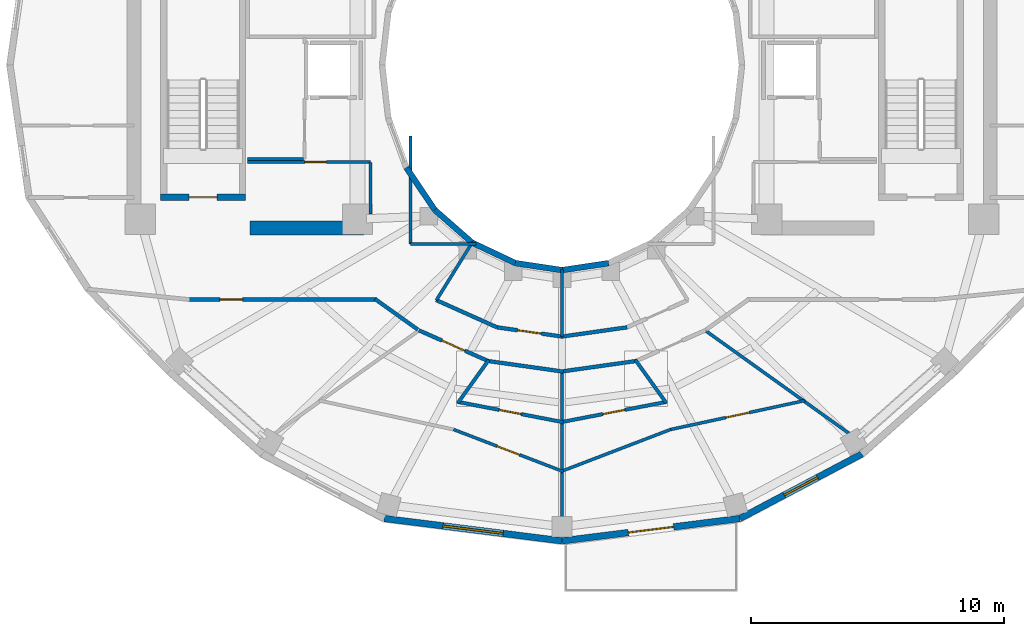
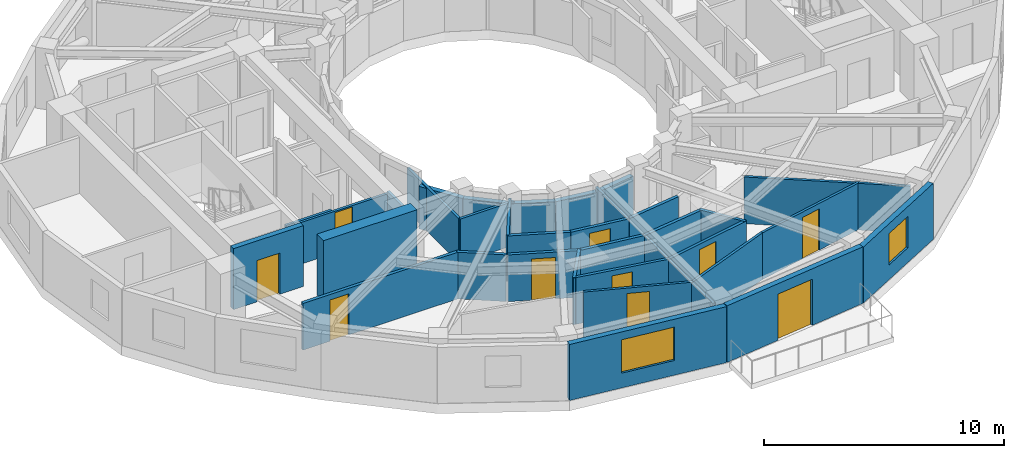
# One storey, part 3 of 9: 34 walls, 10 doors, 2 windows, 12 openings.
"""IFC4 building model written with IfcOpenShell, lengths in metres."""

from ifc_helpers import new_model, si_unit, direction, frame, frame_2d, origin, place, context, subcontext, project, spatial, rectangle, extrude, material, layer, layer_set, type_object, element, fill, save


model = new_model("IFC4")

# Units and contexts
model_context = context("Model", 3, precision=1e-05, world=origin(), true_north=direction((0.0, 1.0)))
body_context = subcontext(model_context, "Body", "Model", "MODEL_VIEW")
ifc_project = project(units=[si_unit("LENGTHUNIT", "METRE"), si_unit("AREAUNIT", "SQUARE_METRE"), si_unit("VOLUMEUNIT", "CUBIC_METRE"), si_unit("PLANEANGLEUNIT", "RADIAN"), si_unit("MASSUNIT", "GRAM", prefix="KILO")], contexts=[model_context])

# Site, building, storey
site_placement = place(None, origin())
site = spatial("IfcSite", under=ifc_project, at=site_placement, CompositionType="ELEMENT")
building_placement = place(site_placement, origin())
building = spatial("IfcBuilding", under=site, at=building_placement, Name="Solvane Sanctuary Tower", CompositionType="ELEMENT")
storey_placement = place(building_placement, frame((0.0, 0.0, 220.199951171875)))
storey = spatial("IfcBuildingStorey", under=building, at=storey_placement, Name="L67", CompositionType="ELEMENT", Elevation=220.199951171875)

# Walls
ifc_material_1 = material(Name="Concrete C50/60", Category="concrete")
ifc_layer_1 = layer(ifc_material_1, 0.550048828125, Name="Concrete C50/60")
ifc_layer_set_1 = layer_set([ifc_layer_1], Name="Concrete C50/60")
wall_type_1 = type_object("IfcWallType", Name="Wall W-CORE-550", PredefinedType="SHEAR", material=ifc_layer_set_1)
wall_1_placement = place(storey_placement, frame((19.64990234375, 16.550048828125, 0.0), z_axis=(0.0, 0.0, 1.0), x_axis=(1.0, 0.0, 0.0)))
element("IfcWall", 1, at=wall_1_placement, inside=storey, type_object=wall_type_1, Name="L67 Core Shear Wall WC-S", PredefinedType="SHEAR", context=body_context, shape_type="SweptSolid", body=[
    extrude(rectangle(XDim=4.5, YDim=0.550048828125, at=frame_2d((2.25, 0.0))), origin(), (0.0, 0.0, 1.0), 3.10009765625),
])
ifc_material_2 = material(Name="Acoustic Gypsum Partition Board")
ifc_layer_2 = layer(ifc_material_2, 0.14990234375, Name="Acoustic Gypsum Partition Board")
ifc_layer_set_2 = layer_set([ifc_layer_2], Name="Acoustic Gypsum Partition Board")
wall_type_2 = type_object("IfcWallType", Name="Wall W-CORR-150", PredefinedType="PARTITIONING", material=ifc_layer_set_2)
wall_2_placement = place(storey_placement, frame((27.01904296875, 13.694091796875, 0.0), z_axis=(0.0, 0.0, 1.0), x_axis=(0.912628408652, -0.408790151203, 0.0)))
element("IfcWall", 2, at=wall_2_placement, inside=storey, type_object=wall_type_2, Name="L67 South Light-Well Corridor Wall 1", PredefinedType="PARTITIONING", context=body_context, shape_type="SweptSolid", body=[
    extrude(rectangle(XDim=2.637939453125, YDim=0.14990234375, at=frame_2d((1.31884765625, 0.0))), origin(), (0.0, 0.0, 1.0), 2.3759765625),
])

# Wall, opening, door
wall_3_placement = place(storey_placement, frame((29.423095703125, 12.61669921875, 0.0), z_axis=(0.0, 0.0, 1.0), x_axis=(0.990078185178, -0.140517569133, 0.0)))
wall_3 = element("IfcWall", 3, at=wall_3_placement, inside=storey, type_object=wall_type_2, Name="L67 South Light-Well Corridor Wall 1", PredefinedType="PARTITIONING", context=body_context, shape_type="SweptSolid", body=[
    extrude(rectangle(XDim=2.609619140625, YDim=0.14990234375, at=frame_2d((1.3046875, 0.0))), origin(), (0.0, 0.0, 1.0), 2.3759765625),
])
opening_1_placement = place(wall_3_placement, frame((0.829833984375, 0.0, 0.0)))
opening_1 = element("IfcOpeningElement", 4, at=opening_1_placement, cuts=wall_3, Name="Opening D-L67-13", PredefinedType="OPENING", context=body_context, shape_type="SweptSolid", body=[
    extrude(rectangle(XDim=0.949951171875, YDim=2.10009765625, at=frame_2d((0.47509765625, 1.050048828125))), frame((0.0, 0.0849609375, 0.0), z_axis=(0.0, -1.0, 0.0), x_axis=(1.0, 0.0, 0.0)), (0.0, 0.0, 1.0), 0.169921875),
])
ifc_material_3 = material(Name="Engineered Tropical Hardwood", Category="wood")
door_type_1 = type_object("IfcDoorType", Name="Door D-ROOM-950", OperationType="NOTDEFINED", PredefinedType="DOOR", material=ifc_material_3)
door_1_placement = place(opening_1_placement, origin())
door_1 = element("IfcDoor", 5, at=door_1_placement, inside=storey, type_object=door_type_1, Name="L67 South Light-Well Alcove Door 1", OperationType="SINGLE_SWING_RIGHT", OverallHeight=2.10009765625, OverallWidth=0.949951171875, PredefinedType="DOOR", context=body_context, shape_type="SweptSolid", body=[
    extrude(rectangle(XDim=0.949951171875, YDim=2.10009765625, at=frame_2d((0.47509765625, 1.050048828125))), frame((0.0, 0.02490234375, 0.0), z_axis=(0.0, -1.0, 0.0), x_axis=(1.0, 0.0, 0.0)), (0.0, 0.0, 1.0), 0.050048828125),
])
fill(opening_1, door_1)

# Walls
wall_4_placement = place(storey_placement, frame((31.9931640625, 12.25, 0.0), z_axis=(0.0, 0.0, 1.0), x_axis=(0.990078185178, 0.140517569133, 0.0)))
element("IfcWall", 6, at=wall_4_placement, inside=storey, type_object=wall_type_2, Name="L67 South Light-Well Corridor Wall 2", PredefinedType="PARTITIONING", context=body_context, shape_type="SweptSolid", body=[
    extrude(rectangle(XDim=2.609619140625, YDim=0.14990234375, at=frame_2d((1.3046875, 0.0))), origin(), (0.0, 0.0, 1.0), 2.3759765625),
])
wall_5_placement = place(storey_placement, frame((26.290283203125, 12.527099609375, 0.0), z_axis=(0.0, 0.0, 1.0), x_axis=(-0.813780999276, 0.581171648669, 0.0)))
element("IfcWall", 7, at=wall_5_placement, inside=storey, type_object=wall_type_2, Name="L67 SW Corner Throat Wall", PredefinedType="PARTITIONING", context=body_context, shape_type="SweptSolid", body=[
    extrude(rectangle(XDim=2.082275390625, YDim=0.14990234375, at=frame_2d((1.041015625, 0.0))), origin(), (0.0, 0.0, 1.0), 2.3759765625),
])

# Wall, opening, door
wall_6_placement = place(storey_placement, frame((17.14990234375, 13.719970703125, 0.0), z_axis=(0.0, 0.0, 1.0), x_axis=(1.0, 0.0, 0.0)))
wall_6 = element("IfcWall", 8, at=wall_6_placement, inside=storey, type_object=wall_type_2, Name="L67 SW Corner Corridor Wall", PredefinedType="PARTITIONING", context=body_context, shape_type="SweptSolid", body=[
    extrude(rectangle(XDim=7.52001953125, YDim=0.14990234375, at=frame_2d((3.760009765625, 0.0))), origin(), (0.0, 0.0, 1.0), 2.3759765625),
])
opening_2_placement = place(wall_6_placement, frame((1.300048828125, 0.0, 0.0)))
opening_2 = element("IfcOpeningElement", 9, at=opening_2_placement, cuts=wall_6, Name="Opening D-L67-22", PredefinedType="OPENING", context=body_context, shape_type="SweptSolid", body=[
    extrude(rectangle(XDim=0.89990234375, YDim=2.10009765625, at=frame_2d((0.449951171875, 1.050048828125))), frame((0.0, 0.0849609375, 0.0), z_axis=(0.0, -1.0, 0.0), x_axis=(1.0, 0.0, 0.0)), (0.0, 0.0, 1.0), 0.169921875),
])
door_type_2 = type_object("IfcDoorType", Name="Door D-WET-900", OperationType="NOTDEFINED", PredefinedType="DOOR", material=ifc_material_3)
door_2_placement = place(opening_2_placement, origin())
door_2 = element("IfcDoor", 10, at=door_2_placement, inside=storey, type_object=door_type_2, Name="L67 SW Corner Salon Door", OperationType="SINGLE_SWING_LEFT", OverallHeight=2.10009765625, OverallWidth=0.89990234375, PredefinedType="DOOR", context=body_context, shape_type="SweptSolid", body=[
    extrude(rectangle(XDim=0.89990234375, YDim=2.10009765625, at=frame_2d((0.449951171875, 1.050048828125))), frame((0.0, 0.02490234375, 0.0), z_axis=(0.0, -1.0, 0.0), x_axis=(1.0, 0.0, 0.0)), (0.0, 0.0, 1.0), 0.050048828125),
])
fill(opening_2, door_2)

# Wall
wall_7_placement = place(storey_placement, frame((29.01806640625, 11.290283203125, 0.0), z_axis=(0.0, 0.0, 1.0), x_axis=(0.990214091671, -0.13955662885, 0.0)))
element("IfcWall", 11, at=wall_7_placement, inside=storey, type_object=wall_type_2, Name="L67 En-suite Inner Wall S1", PredefinedType="PARTITIONING", context=body_context, shape_type="SweptSolid", body=[
    extrude(rectangle(XDim=3.0615234375, YDim=0.14990234375, at=frame_2d((1.53076171875, 0.0))), origin(), (0.0, 0.0, 1.0), 2.3759765625),
])

# Wall, opening, door
wall_8_placement = place(storey_placement, frame((26.328125, 12.499267578125, 0.0), z_axis=(0.0, 0.0, 1.0), x_axis=(0.914139569865, -0.405399613724, 0.0)))
wall_8 = element("IfcWall", 12, at=wall_8_placement, inside=storey, type_object=wall_type_2, Name="L67 Unit Corridor Wall S1", PredefinedType="PARTITIONING", context=body_context, shape_type="SweptSolid", body=[
    extrude(rectangle(XDim=3.005126953125, YDim=0.14990234375, at=frame_2d((1.50244140625, 0.0))), origin(), (0.0, 0.0, 1.0), 2.3759765625),
])
opening_3_placement = place(wall_8_placement, frame((1.00244140625, 0.0, 0.0)))
opening_3 = element("IfcOpeningElement", 13, at=opening_3_placement, cuts=wall_8, Name="Opening D-L67-31", PredefinedType="OPENING", context=body_context, shape_type="SweptSolid", body=[
    extrude(rectangle(XDim=1.0, YDim=2.10009765625, at=frame_2d((0.5, 1.050048828125))), frame((0.0, 0.0849609375, 0.0), z_axis=(0.0, -1.0, 0.0), x_axis=(1.0, 0.0, 0.0)), (0.0, 0.0, 1.0), 0.169921875),
])
door_type_3 = type_object("IfcDoorType", Name="Door D-UNIT", OperationType="NOTDEFINED", PredefinedType="DOOR", material=ifc_material_3)
door_3_placement = place(opening_3_placement, origin())
door_3 = element("IfcDoor", 14, at=door_3_placement, inside=storey, type_object=door_type_3, Name="L67 Unit Entrance Door S1", OperationType="SINGLE_SWING_RIGHT", OverallHeight=2.10009765625, OverallWidth=1.0, PredefinedType="DOOR", context=body_context, shape_type="SweptSolid", body=[
    extrude(rectangle(XDim=1.0, YDim=2.10009765625, at=frame_2d((0.5, 1.050048828125))), frame((0.0, 0.02490234375, 0.0), z_axis=(0.0, -1.0, 0.0), x_axis=(1.0, 0.0, 0.0)), (0.0, 0.0, 1.0), 0.050048828125),
])
fill(opening_3, door_3)

# Wall
wall_9_placement = place(storey_placement, frame((31.950439453125, 10.863037109375, 0.0), z_axis=(0.0, 0.0, 1.0), x_axis=(0.990214091671, 0.13955662885, 0.0)))
element("IfcWall", 15, at=wall_9_placement, inside=storey, type_object=wall_type_2, Name="L67 En-suite Inner Wall S2", PredefinedType="PARTITIONING", context=body_context, shape_type="SweptSolid", body=[
    extrude(rectangle(XDim=3.0615234375, YDim=0.14990234375, at=frame_2d((1.53076171875, 0.0))), origin(), (0.0, 0.0, 1.0), 2.3759765625),
])

# Wall, opening, window
ifc_material_4 = material(Name="Precast concrete C40/50", Category="concrete")
ifc_layer_3 = layer(ifc_material_4, 0.260009765625, Name="Precast concrete C40/50")
ifc_layer_set_3 = layer_set([ifc_layer_3], Name="Precast concrete C40/50")
wall_type_3 = type_object("IfcWallType", Name="Wall W-EXT-250", PredefinedType="STANDARD", material=ifc_layer_set_3)
wall_10_placement = place(storey_placement, frame((24.95703125, 5.048095703125, 0.0), z_axis=(0.0, 0.0, 1.0), x_axis=(0.992180211307, -0.124813574142, 0.0)))
wall_10 = element("IfcWall", 16, at=wall_10_placement, inside=storey, type_object=wall_type_3, Name="L67 Ceramic-Printed Facade Wall 17", PredefinedType="STANDARD", context=body_context, shape_type="SweptSolid", body=[
    extrude(rectangle(XDim=7.098388671875, YDim=0.260009765625, at=frame_2d((3.54931640625, 0.0))), origin(), (0.0, 0.0, 1.0), 2.85009765625),
])
opening_4_placement = place(wall_10_placement, frame((2.34912109375, 0.0, 0.75)))
opening_4 = element("IfcOpeningElement", 17, at=opening_4_placement, cuts=wall_10, Name="Opening WN-RIB-2400", PredefinedType="OPENING", context=body_context, shape_type="SweptSolid", body=[
    extrude(rectangle(XDim=2.39990234375, YDim=1.699951171875, at=frame_2d((1.199951171875, 0.85009765625))), frame((0.0, 0.139892578125, 0.0), z_axis=(0.0, -1.0, 0.0), x_axis=(1.0, 0.0, 0.0)), (0.0, 0.0, 1.0), 0.280029296875),
])
ifc_material_5 = material(Name="Dark Ceramic-Fritted Low-E Glass", Category="glass")
window_type_1 = type_object("IfcWindowType", Name="Window WN-RIB-2400", PartitioningType="SINGLE_PANEL", PredefinedType="WINDOW", material=ifc_material_5)
window_1_placement = place(opening_4_placement, origin())
window_1 = element("IfcWindow", 18, at=window_1_placement, inside=storey, type_object=window_type_1, Name="L67 Operable Facade Window 17", OverallHeight=1.699951171875, OverallWidth=2.39990234375, PartitioningType="SINGLE_PANEL", PredefinedType="WINDOW", context=body_context, shape_type="SweptSolid", body=[
    extrude(rectangle(XDim=2.39990234375, YDim=1.699951171875, at=frame_2d((1.199951171875, 0.85009765625))), frame((0.0, 0.030029296875, 0.0), z_axis=(0.0, -1.0, 0.0), x_axis=(1.0, 0.0, 0.0)), (0.0, 0.0, 1.0), 0.06005859375),
])
fill(opening_4, window_1)

# Wall, opening, door
wall_11_placement = place(storey_placement, frame((32.0, 4.162109375, 0.0), z_axis=(0.0, 0.0, 1.0), x_axis=(0.992180211307, 0.124813574142, 0.0)))
wall_11 = element("IfcWall", 19, at=wall_11_placement, inside=storey, type_object=wall_type_3, Name="L67 South Crescent Terrace Access Wall", PredefinedType="STANDARD", context=body_context, shape_type="SweptSolid", body=[
    extrude(rectangle(XDim=7.098388671875, YDim=0.260009765625, at=frame_2d((3.54931640625, 0.0))), origin(), (0.0, 0.0, 1.0), 2.880126953125),
])
opening_5_placement = place(wall_11_placement, frame((2.649169921875, 0.0, 0.0)))
opening_5 = element("IfcOpeningElement", 20, at=opening_5_placement, cuts=wall_11, Name="Opening D-L67-01", PredefinedType="OPENING", context=body_context, shape_type="SweptSolid", body=[
    extrude(rectangle(XDim=1.800048828125, YDim=2.35009765625, at=frame_2d((0.89990234375, 1.175048828125))), frame((0.0, 0.139892578125, 0.0), z_axis=(0.0, -1.0, 0.0), x_axis=(1.0, 0.0, 0.0)), (0.0, 0.0, 1.0), 0.280029296875),
])
ifc_material_6 = material(Name="Anodised Aluminium 6063-T6", Category="aluminium")
door_type_4 = type_object("IfcDoorType", Name="Door D-TERR-1800", OperationType="NOTDEFINED", PredefinedType="DOOR", material=ifc_material_6)
door_4_placement = place(opening_5_placement, origin())
door_4 = element("IfcDoor", 21, at=door_4_placement, inside=storey, type_object=door_type_4, Name="L67 South Crescent Sanctuary Terrace Door", OperationType="SINGLE_SWING_RIGHT", OverallHeight=2.35009765625, OverallWidth=1.800048828125, PredefinedType="DOOR", context=body_context, shape_type="SweptSolid", body=[
    extrude(rectangle(XDim=1.800048828125, YDim=2.35009765625, at=frame_2d((0.89990234375, 1.175048828125))), frame((0.0, 0.02490234375, 0.0), z_axis=(0.0, -1.0, 0.0), x_axis=(1.0, 0.0, 0.0)), (0.0, 0.0, 1.0), 0.050048828125),
])
fill(opening_5, door_4)

# Wall, opening, window
wall_12_placement = place(storey_placement, frame((39.04296875, 5.048095703125, 0.0), z_axis=(0.0, 0.0, 1.0), x_axis=(0.884000981341, 0.46748504253, 0.0)))
wall_12 = element("IfcWall", 22, at=wall_12_placement, inside=storey, type_object=wall_type_3, Name="L67 Ceramic-Printed Facade Wall 19", PredefinedType="STANDARD", context=body_context, shape_type="SweptSolid", body=[
    extrude(rectangle(XDim=5.46044921875, YDim=0.260009765625, at=frame_2d((2.730224609375, 0.0))), origin(), (0.0, 0.0, 1.0), 2.85009765625),
])
opening_6_placement = place(wall_12_placement, frame((1.980224609375, 0.0, 0.75)))
opening_6 = element("IfcOpeningElement", 23, at=opening_6_placement, cuts=wall_12, Name="Opening WN-OPER-1500", PredefinedType="OPENING", context=body_context, shape_type="SweptSolid", body=[
    extrude(rectangle(XDim=1.5, YDim=1.60009765625, at=frame_2d((0.75, 0.800048828125))), frame((0.0, 0.139892578125, 0.0), z_axis=(0.0, -1.0, 0.0), x_axis=(1.0, 0.0, 0.0)), (0.0, 0.0, 1.0), 0.280029296875),
])
window_type_2 = type_object("IfcWindowType", Name="Window WN-OPER-1500", PartitioningType="SINGLE_PANEL", PredefinedType="WINDOW", material=ifc_material_5)
window_2_placement = place(opening_6_placement, origin())
window_2 = element("IfcWindow", 24, at=window_2_placement, inside=storey, type_object=window_type_2, Name="L67 Operable Facade Window 19", OverallHeight=1.60009765625, OverallWidth=1.5, PartitioningType="SINGLE_PANEL", PredefinedType="WINDOW", context=body_context, shape_type="SweptSolid", body=[
    extrude(rectangle(XDim=1.5, YDim=1.60009765625, at=frame_2d((0.75, 0.800048828125))), frame((0.0, 0.030029296875, 0.0), z_axis=(0.0, -1.0, 0.0), x_axis=(1.0, 0.0, 0.0)), (0.0, 0.0, 1.0), 0.06005859375),
])
fill(opening_6, window_2)

# Walls
ifc_layer_4 = layer(ifc_material_4, 0.22998046875, Name="Precast concrete C40/50")
ifc_layer_set_4 = layer_set([ifc_layer_4], Name="Precast concrete C40/50")
wall_type_4 = type_object("IfcWallType", Name="Wall W-EXT-SP220", PredefinedType="STANDARD", material=ifc_layer_set_4)
wall_13_placement = place(storey_placement, frame((25.833984375, 18.93994140625, 0.0), z_axis=(0.0, 0.0, 1.0), x_axis=(0.558197800898, -0.829707909492, 0.0)))
element("IfcWall", 25, at=wall_13_placement, inside=storey, type_object=wall_type_4, Name="L67 Central Light-Well Wall 14", PredefinedType="STANDARD", context=body_context, shape_type="SweptSolid", body=[
    extrude(rectangle(XDim=2.02685546875, YDim=0.22998046875, at=frame_2d((1.013427734375, 0.0))), origin(), (0.0, 0.0, 1.0), 2.16015625),
])
wall_14_placement = place(storey_placement, frame((26.96533203125, 17.25830078125, 0.0), z_axis=(0.0, 0.0, 1.0), x_axis=(0.752576694707, -0.658504607869, 0.0)))
element("IfcWall", 26, at=wall_14_placement, inside=storey, type_object=wall_type_4, Name="L67 Central Light-Well Wall 15", PredefinedType="STANDARD", context=body_context, shape_type="SweptSolid", body=[
    extrude(rectangle(XDim=1.95947265625, YDim=0.22998046875, at=frame_2d((0.979736328125, 0.0))), origin(), (0.0, 0.0, 1.0), 2.16015625),
])
wall_15_placement = place(storey_placement, frame((28.43994140625, 15.968017578125, 0.0), z_axis=(0.0, 0.0, 1.0), x_axis=(0.904179699603, -0.427152280606, 0.0)))
element("IfcWall", 27, at=wall_15_placement, inside=storey, type_object=wall_type_4, Name="L67 Central Light-Well Wall 16", PredefinedType="STANDARD", context=body_context, shape_type="SweptSolid", body=[
    extrude(rectangle(XDim=1.899169921875, YDim=0.22998046875, at=frame_2d((0.94970703125, 0.0))), origin(), (0.0, 0.0, 1.0), 2.16015625),
])
for number, where, z_axis, x_axis, name in (
    (28, (30.1572265625, 15.15673828125, 0.0), (0.0, 0.0, 1.0), (0.988901730308, -0.148571086668, 0.0), "L67 Central Light-Well Wall 17"),
    (29, (32.0, 14.8798828125, 0.0), (0.0, 0.0, 1.0), (0.988901730308, 0.148571086668, 0.0), "L67 Central Light-Well Wall 18"),
):
    element("IfcWall", number, at=place(storey_placement, frame(where, z_axis=z_axis, x_axis=x_axis)), inside=storey, type_object=wall_type_4, Name=name, PredefinedType="STANDARD", context=body_context, shape_type="SweptSolid", body=[
        extrude(rectangle(XDim=1.863525390625, YDim=0.22998046875, at=frame_2d((0.931640625, 0.0))), origin(), (0.0, 0.0, 1.0), 2.16015625),
    ])

# Wall, opening, door
ifc_layer_5 = layer(ifc_material_2, 0.1201171875, Name="Acoustic Gypsum Partition Board")
ifc_layer_set_5 = layer_set([ifc_layer_5], Name="Acoustic Gypsum Partition Board")
wall_type_5 = type_object("IfcWallType", Name="Wall W-MOV-100", PredefinedType="MOVABLE", material=ifc_layer_set_5)
wall_16_placement = place(storey_placement, frame((27.70166015625, 8.5732421875, 0.0), z_axis=(0.0, 0.0, 1.0), x_axis=(0.933766866443, -0.357881878744, 0.0)))
wall_16 = element("IfcWall", 30, at=wall_16_placement, inside=storey, type_object=wall_type_5, Name="L67 Suite Sitting Lounge Partition S1", PredefinedType="MOVABLE", context=body_context, shape_type="SweptSolid", body=[
    extrude(rectangle(XDim=4.653076171875, YDim=0.1201171875, at=frame_2d((2.32666015625, 0.0))), origin(), (0.0, 0.0, 1.0), 2.3759765625),
])
opening_7_placement = place(wall_16_placement, frame((1.8515625, 0.0, 0.0)))
opening_7 = element("IfcOpeningElement", 31, at=opening_7_placement, cuts=wall_16, Name="Opening D-L67-29", PredefinedType="OPENING", context=body_context, shape_type="SweptSolid", body=[
    extrude(rectangle(XDim=0.949951171875, YDim=2.10009765625, at=frame_2d((0.47509765625, 1.050048828125))), frame((0.0, 0.070068359375, 0.0), z_axis=(0.0, -1.0, 0.0), x_axis=(1.0, 0.0, 0.0)), (0.0, 0.0, 1.0), 0.14013671875),
])
door_5_placement = place(opening_7_placement, origin())
door_5 = element("IfcDoor", 32, at=door_5_placement, inside=storey, type_object=door_type_1, Name="L67 Suite Sitting Lounge Door S1", OperationType="SINGLE_SWING_RIGHT", OverallHeight=2.10009765625, OverallWidth=0.949951171875, PredefinedType="DOOR", context=body_context, shape_type="SweptSolid", body=[
    extrude(rectangle(XDim=0.949951171875, YDim=2.10009765625, at=frame_2d((0.47509765625, 1.050048828125))), frame((0.0, 0.02490234375, 0.0), z_axis=(0.0, -1.0, 0.0), x_axis=(1.0, 0.0, 0.0)), (0.0, 0.0, 1.0), 0.050048828125),
])
fill(opening_7, door_5)

# Wall
wall_17_placement = place(storey_placement, frame((31.953369140625, 6.907958984375, 0.0), z_axis=(0.0, 0.0, 1.0), x_axis=(0.933766866443, 0.357881878744, 0.0)))
element("IfcWall", 33, at=wall_17_placement, inside=storey, type_object=wall_type_5, Name="L67 Suite Sitting Lounge Partition S2", PredefinedType="MOVABLE", context=body_context, shape_type="SweptSolid", body=[
    extrude(rectangle(XDim=4.653076171875, YDim=0.1201171875, at=frame_2d((2.32666015625, 0.0))), origin(), (0.0, 0.0, 1.0), 2.3759765625),
])

# Wall, opening, door
wall_18_placement = place(storey_placement, frame((36.279296875, 8.5673828125, 0.0), z_axis=(0.0, 0.0, 1.0), x_axis=(0.977534972695, 0.210773283785, 0.0)))
wall_18 = element("IfcWall", 34, at=wall_18_placement, inside=storey, type_object=wall_type_5, Name="L67 Suite Sitting Lounge Partition S2", PredefinedType="MOVABLE", context=body_context, shape_type="SweptSolid", body=[
    extrude(rectangle(XDim=5.453369140625, YDim=0.1201171875, at=frame_2d((2.7265625, 0.0))), origin(), (0.0, 0.0, 1.0), 2.3759765625),
])
opening_8_placement = place(wall_18_placement, frame((2.251708984375, 0.0, 0.0)))
opening_8 = element("IfcOpeningElement", 35, at=opening_8_placement, cuts=wall_18, Name="Opening D-L67-32", PredefinedType="OPENING", context=body_context, shape_type="SweptSolid", body=[
    extrude(rectangle(XDim=0.949951171875, YDim=2.10009765625, at=frame_2d((0.47509765625, 1.050048828125))), frame((0.0, 0.070068359375, 0.0), z_axis=(0.0, -1.0, 0.0), x_axis=(1.0, 0.0, 0.0)), (0.0, 0.0, 1.0), 0.14013671875),
])
door_6_placement = place(opening_8_placement, origin())
door_6 = element("IfcDoor", 36, at=door_6_placement, inside=storey, type_object=door_type_1, Name="L67 Suite Sitting Lounge Door S2", OperationType="SINGLE_SWING_LEFT", OverallHeight=2.10009765625, OverallWidth=0.949951171875, PredefinedType="DOOR", context=body_context, shape_type="SweptSolid", body=[
    extrude(rectangle(XDim=0.949951171875, YDim=2.10009765625, at=frame_2d((0.47509765625, 1.050048828125))), frame((0.0, 0.02490234375, 0.0), z_axis=(0.0, -1.0, 0.0), x_axis=(1.0, 0.0, 0.0)), (0.0, 0.0, 1.0), 0.050048828125),
])
fill(opening_8, door_6)

ifc_layer_6 = layer(ifc_material_2, 0.125, Name="Acoustic Gypsum Partition Board")
ifc_layer_set_6 = layer_set([ifc_layer_6], Name="Acoustic Gypsum Partition Board")
wall_type_6 = type_object("IfcWallType", Name="Wall W-PART-125", PredefinedType="PARTITIONING", material=ifc_layer_set_6)
wall_19_placement = place(storey_placement, frame((19.550048828125, 19.159912109375, 0.0), z_axis=(0.0, 0.0, 1.0), x_axis=(1.0, 0.0, 0.0)))
wall_19 = element("IfcWall", 37, at=wall_19_placement, inside=storey, type_object=wall_type_6, Name="L67 Reclaimed Room Partition PLW", PredefinedType="PARTITIONING", context=body_context, shape_type="SweptSolid", body=[
    extrude(rectangle(XDim=4.869873046875, YDim=0.125, at=frame_2d((2.43505859375, 0.0))), origin(), (0.0, 0.0, 1.0), 2.1201171875),
])
opening_9_placement = place(wall_19_placement, frame((2.271728515625, 0.0, 0.0)))
opening_9 = element("IfcOpeningElement", 38, at=opening_9_placement, cuts=wall_19, Name="Opening D-L67-06", PredefinedType="OPENING", context=body_context, shape_type="SweptSolid", body=[
    extrude(rectangle(XDim=0.85009765625, YDim=2.050048828125, at=frame_2d((0.425048828125, 1.02490234375))), frame((0.0, 0.072509765625, 0.0), z_axis=(0.0, -1.0, 0.0), x_axis=(1.0, 0.0, 0.0)), (0.0, 0.0, 1.0), 0.14501953125),
])
ifc_material_7 = material(Name="Architectural Stainless Steel 316", Category="steel")
door_type_5 = type_object("IfcDoorType", Name="Door D-RISER", OperationType="NOTDEFINED", PredefinedType="DOOR", material=ifc_material_7)
door_7_placement = place(opening_9_placement, origin())
door_7 = element("IfcDoor", 39, at=door_7_placement, inside=storey, type_object=door_type_5, Name="L67 Reclaimed Room Door PLW-1", OperationType="SINGLE_SWING_LEFT", OverallHeight=2.050048828125, OverallWidth=0.85009765625, PredefinedType="DOOR", context=body_context, shape_type="SweptSolid", body=[
    extrude(rectangle(XDim=0.85009765625, YDim=2.050048828125, at=frame_2d((0.425048828125, 1.02490234375))), frame((0.0, 0.02490234375, 0.0), z_axis=(0.0, -1.0, 0.0), x_axis=(1.0, 0.0, 0.0)), (0.0, 0.0, 1.0), 0.050048828125),
])
fill(opening_9, door_7)

# Walls
wall_20_placement = place(storey_placement, frame((24.419921875, 17.10009765625, 0.0), z_axis=(0.0, 0.0, 1.0), x_axis=(0.0, 1.0, 0.0)))
element("IfcWall", 40, at=wall_20_placement, inside=storey, type_object=wall_type_6, Name="L67 Reclaimed Room Closer Wall PLW-1", PredefinedType="PARTITIONING", context=body_context, shape_type="SweptSolid", body=[
    extrude(rectangle(XDim=2.039794921875, YDim=0.125, at=frame_2d((1.02001953125, 0.0))), origin(), (0.0, 0.0, 1.0), 2.23193359375),
])
wall_21_placement = place(storey_placement, frame((19.550048828125, 19.280029296875, 0.0), z_axis=(0.0, 0.0, 1.0), x_axis=(1.0, 0.0, 0.0)))
element("IfcWall", 41, at=wall_21_placement, inside=storey, type_object=wall_type_6, Name="L67 Reclaimed Room Closer Wall PMW-1", PredefinedType="PARTITIONING", context=body_context, shape_type="SweptSolid", body=[
    extrude(rectangle(XDim=2.2099609375, YDim=0.125, at=frame_2d((1.10498046875, 0.0))), origin(), (0.0, 0.0, 1.0), 2.1201171875),
])
wall_22_placement = place(storey_placement, frame((28.449951171875, 15.985107421875, 0.0), z_axis=(0.0, 0.0, 1.0), x_axis=(-0.527527080983, -0.849538215049, 0.0)))
element("IfcWall", 42, at=wall_22_placement, inside=storey, type_object=wall_type_6, Name="L67 South Light-Well Radial Wall 240", PredefinedType="PARTITIONING", context=body_context, shape_type="SweptSolid", body=[
    extrude(rectangle(XDim=2.701416015625, YDim=0.125, at=frame_2d((1.3505859375, 0.0))), origin(), (0.0, 0.0, 1.0), 2.3759765625),
])
wall_23_placement = place(storey_placement, frame((32.0, 14.89990234375, 0.0), z_axis=(0.0, 0.0, 1.0), x_axis=(0.0, -1.0, 0.0)))
element("IfcWall", 43, at=wall_23_placement, inside=storey, type_object=wall_type_6, Name="L67 South Light-Well Radial Wall 270", PredefinedType="PARTITIONING", context=body_context, shape_type="SweptSolid", body=[
    extrude(rectangle(XDim=2.64990234375, YDim=0.125, at=frame_2d((1.324951171875, 0.0))), origin(), (0.0, 0.0, 1.0), 2.3759765625),
])
wall_24_placement = place(storey_placement, frame((26.0, 15.919921875, 0.0), z_axis=(0.0, 0.0, 1.0), x_axis=(0.0, 1.0, 0.0)))
element("IfcWall", 44, at=wall_24_placement, inside=storey, type_object=wall_type_6, Name="L67 Bridge Alcove Wall 5", PredefinedType="PARTITIONING", context=body_context, shape_type="SweptSolid", body=[
    extrude(rectangle(XDim=4.280029296875, YDim=0.125, at=frame_2d((2.14013671875, 0.0))), origin(), (0.0, 0.0, 1.0), 2.23193359375),
])
wall_25_placement = place(storey_placement, frame((26.0, 15.919921875, 0.0), z_axis=(0.0, 0.0, 1.0), x_axis=(1.0, 0.0, 0.0)))
element("IfcWall", 45, at=wall_25_placement, inside=storey, type_object=wall_type_6, Name="L67 Bridge Alcove Wall 6", PredefinedType="PARTITIONING", context=body_context, shape_type="SweptSolid", body=[
    extrude(rectangle(XDim=2.60009765625, YDim=0.125, at=frame_2d((1.300048828125, 0.0))), origin(), (0.0, 0.0, 1.0), 2.23193359375),
])
wall_26_placement = place(storey_placement, frame((32.0, 10.81494140625, 0.0), z_axis=(0.0, 0.0, 1.0), x_axis=(0.0, -1.0, 0.0)))
element("IfcWall", 46, at=wall_26_placement, inside=storey, type_object=wall_type_6, Name="L67 Radial Compartment Wall 270", PredefinedType="PARTITIONING", context=body_context, shape_type="SweptSolid", body=[
    extrude(rectangle(XDim=5.71484375, YDim=0.125, at=frame_2d((2.857421875, 0.0))), origin(), (0.0, 0.0, 1.0), 2.3759765625),
])
wall_27_placement = place(storey_placement, frame((37.709716796875, 12.463134765625, 0.0), z_axis=(0.0, 0.0, 1.0), x_axis=(0.813163816543, -0.582034885093, 0.0)))
element("IfcWall", 47, at=wall_27_placement, inside=storey, type_object=wall_type_6, Name="L67 Radial Compartment Wall 300", PredefinedType="PARTITIONING", context=body_context, shape_type="SweptSolid", body=[
    extrude(rectangle(XDim=6.95458984375, YDim=0.125, at=frame_2d((3.477294921875, 0.0))), origin(), (0.0, 0.0, 1.0), 2.3759765625),
])

# Wall, opening, door
ifc_layer_7 = layer(ifc_material_1, 0.25, Name="Concrete C50/60")
ifc_layer_set_7 = layer_set([ifc_layer_7], Name="Concrete C50/60")
wall_type_7 = type_object("IfcWallType", Name="Wall W-SHAFT-250", PredefinedType="SOLIDWALL", material=ifc_layer_set_7)
wall_28_placement = place(storey_placement, frame((16.10498046875, 17.77001953125, 0.0), z_axis=(0.0, 0.0, 1.0), x_axis=(1.0, 0.0, 0.0)))
wall_28 = element("IfcWall", 48, at=wall_28_placement, inside=storey, type_object=wall_type_7, Name="L67 ST-1 Load-Bearing Shaft Wall S", PredefinedType="SOLIDWALL", context=body_context, shape_type="SweptSolid", body=[
    extrude(rectangle(XDim=3.3701171875, YDim=0.25, at=frame_2d((1.68505859375, 0.0))), origin(), (0.0, 0.0, 1.0), 3.10009765625),
])
opening_10_placement = place(wall_28_placement, frame((1.135009765625, 0.0, 0.0)))
opening_10 = element("IfcOpeningElement", 49, at=opening_10_placement, cuts=wall_28, Name="Opening D-L67-02", PredefinedType="OPENING", context=body_context, shape_type="SweptSolid", body=[
    extrude(rectangle(XDim=1.10009765625, YDim=2.10009765625, at=frame_2d((0.550048828125, 1.050048828125))), frame((0.0, 0.135009765625, 0.0), z_axis=(0.0, -1.0, 0.0), x_axis=(1.0, 0.0, 0.0)), (0.0, 0.0, 1.0), 0.27001953125),
])
door_type_6 = type_object("IfcDoorType", Name="Door D-STAIR", OperationType="NOTDEFINED", PredefinedType="DOOR", material=ifc_material_7)
door_8_placement = place(opening_10_placement, origin())
door_8 = element("IfcDoor", 50, at=door_8_placement, inside=storey, type_object=door_type_6, Name="L67 ST-1 Exit Stair Fire Door", OperationType="SINGLE_SWING_LEFT", OverallHeight=2.10009765625, OverallWidth=1.10009765625, PredefinedType="DOOR", context=body_context, shape_type="SweptSolid", body=[
    extrude(rectangle(XDim=1.10009765625, YDim=2.10009765625, at=frame_2d((0.550048828125, 1.050048828125))), frame((0.0, 0.02490234375, 0.0), z_axis=(0.0, -1.0, 0.0), x_axis=(1.0, 0.0, 0.0)), (0.0, 0.0, 1.0), 0.050048828125),
])
fill(opening_10, door_8)

# Wall
ifc_layer_8 = layer(ifc_material_2, 0.139892578125, Name="Acoustic Gypsum Partition Board")
ifc_layer_set_8 = layer_set([ifc_layer_8], Name="Acoustic Gypsum Partition Board")
wall_type_8 = type_object("IfcWallType", Name="Wall W-WET-140", PredefinedType="PLUMBINGWALL", material=ifc_layer_set_8)
wall_29_placement = place(storey_placement, frame((29.0966796875, 11.323974609375, 0.0), z_axis=(0.0, 0.0, 1.0), x_axis=(-0.583259891741, -0.812285601673, 0.0)))
element("IfcWall", 51, at=wall_29_placement, inside=storey, type_object=wall_type_8, Name="L67 En-suite Side Partition S1", PredefinedType="PLUMBINGWALL", context=body_context, shape_type="SweptSolid", body=[
    extrude(rectangle(XDim=2.10009765625, YDim=0.139892578125, at=frame_2d((1.050048828125, 0.0))), origin(), (0.0, 0.0, 1.0), 2.385009765625),
])

# Wall, opening, door
wall_30_placement = place(storey_placement, frame((27.85205078125, 9.668212890625, 0.0), z_axis=(0.0, 0.0, 1.0), x_axis=(0.98198484664, -0.188959680803, 0.0)))
wall_30 = element("IfcWall", 52, at=wall_30_placement, inside=storey, type_object=wall_type_8, Name="L67 En-suite Bedroom Wall S1", PredefinedType="PLUMBINGWALL", context=body_context, shape_type="SweptSolid", body=[
    extrude(rectangle(XDim=4.27392578125, YDim=0.139892578125, at=frame_2d((2.136962890625, 0.0))), origin(), (0.0, 0.0, 1.0), 2.3759765625),
])
opening_11_placement = place(wall_30_placement, frame((1.68701171875, 0.0, 0.0)))
opening_11 = element("IfcOpeningElement", 53, at=opening_11_placement, cuts=wall_30, Name="Opening D-L67-30", PredefinedType="OPENING", context=body_context, shape_type="SweptSolid", body=[
    extrude(rectangle(XDim=0.89990234375, YDim=2.10009765625, at=frame_2d((0.449951171875, 1.050048828125))), frame((0.0, 0.079833984375, 0.0), z_axis=(0.0, -1.0, 0.0), x_axis=(1.0, 0.0, 0.0)), (0.0, 0.0, 1.0), 0.159912109375),
])
door_9_placement = place(opening_11_placement, origin())
door_9 = element("IfcDoor", 54, at=door_9_placement, inside=storey, type_object=door_type_2, Name="L67 En-suite Bathroom Door S1", OperationType="SINGLE_SWING_LEFT", OverallHeight=2.10009765625, OverallWidth=0.89990234375, PredefinedType="DOOR", context=body_context, shape_type="SweptSolid", body=[
    extrude(rectangle(XDim=0.89990234375, YDim=2.10009765625, at=frame_2d((0.449951171875, 1.050048828125))), frame((0.0, 0.02490234375, 0.0), z_axis=(0.0, -1.0, 0.0), x_axis=(1.0, 0.0, 0.0)), (0.0, 0.0, 1.0), 0.050048828125),
])
fill(opening_11, door_9)

# Wall
wall_31_placement = place(storey_placement, frame((34.9033203125, 11.323974609375, 0.0), z_axis=(0.0, 0.0, 1.0), x_axis=(0.583259891741, -0.812285601673, 0.0)))
element("IfcWall", 55, at=wall_31_placement, inside=storey, type_object=wall_type_8, Name="L67 En-suite Side Partition S2", PredefinedType="PLUMBINGWALL", context=body_context, shape_type="SweptSolid", body=[
    extrude(rectangle(XDim=2.10009765625, YDim=0.139892578125, at=frame_2d((1.050048828125, 0.0))), origin(), (0.0, 0.0, 1.0), 2.385009765625),
])

# Wall, opening, door
wall_32_placement = place(storey_placement, frame((31.950927734375, 8.860595703125, 0.0), z_axis=(0.0, 0.0, 1.0), x_axis=(0.98198484664, 0.188959680803, 0.0)))
wall_32 = element("IfcWall", 56, at=wall_32_placement, inside=storey, type_object=wall_type_8, Name="L67 En-suite Bedroom Wall S2", PredefinedType="PLUMBINGWALL", context=body_context, shape_type="SweptSolid", body=[
    extrude(rectangle(XDim=4.27392578125, YDim=0.139892578125, at=frame_2d((2.136962890625, 0.0))), origin(), (0.0, 0.0, 1.0), 2.3759765625),
])
opening_12_placement = place(wall_32_placement, frame((1.68701171875, 0.0, 0.0)))
opening_12 = element("IfcOpeningElement", 57, at=opening_12_placement, cuts=wall_32, Name="Opening D-L67-33", PredefinedType="OPENING", context=body_context, shape_type="SweptSolid", body=[
    extrude(rectangle(XDim=0.89990234375, YDim=2.10009765625, at=frame_2d((0.449951171875, 1.050048828125))), frame((0.0, 0.079833984375, 0.0), z_axis=(0.0, -1.0, 0.0), x_axis=(1.0, 0.0, 0.0)), (0.0, 0.0, 1.0), 0.159912109375),
])
door_10_placement = place(opening_12_placement, origin())
door_10 = element("IfcDoor", 58, at=door_10_placement, inside=storey, type_object=door_type_2, Name="L67 En-suite Bathroom Door S2", OperationType="SINGLE_SWING_RIGHT", OverallHeight=2.10009765625, OverallWidth=0.89990234375, PredefinedType="DOOR", context=body_context, shape_type="SweptSolid", body=[
    extrude(rectangle(XDim=0.89990234375, YDim=2.10009765625, at=frame_2d((0.449951171875, 1.050048828125))), frame((0.0, 0.02490234375, 0.0), z_axis=(0.0, -1.0, 0.0), x_axis=(1.0, 0.0, 0.0)), (0.0, 0.0, 1.0), 0.050048828125),
])
fill(opening_12, door_10)

save(model, "model.ifc")
